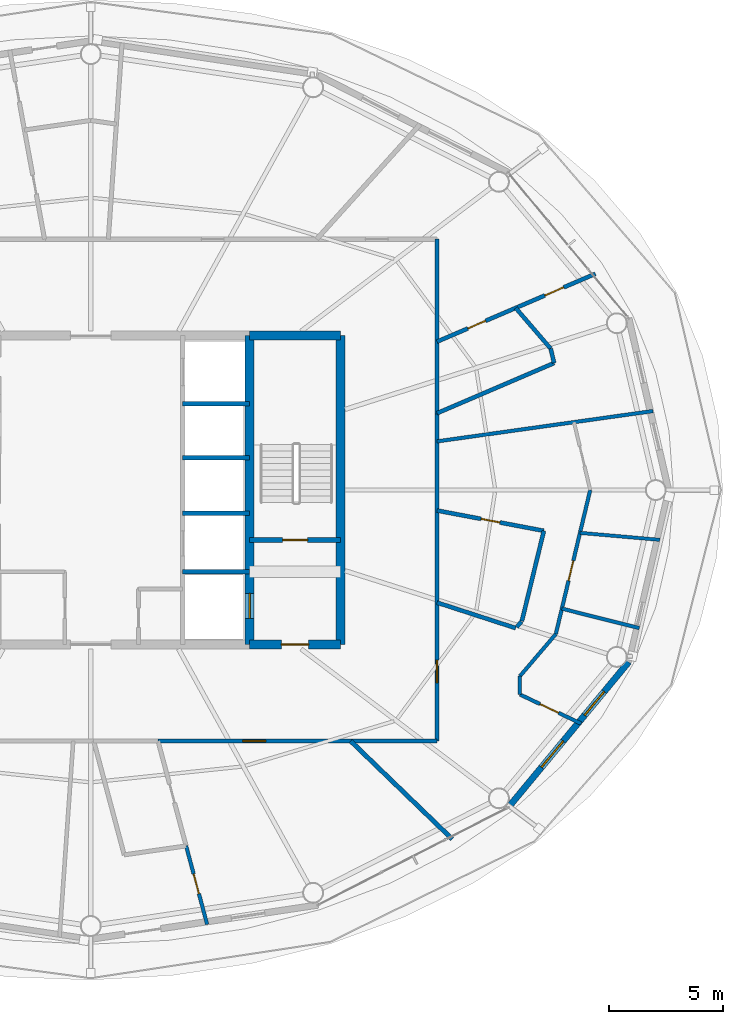
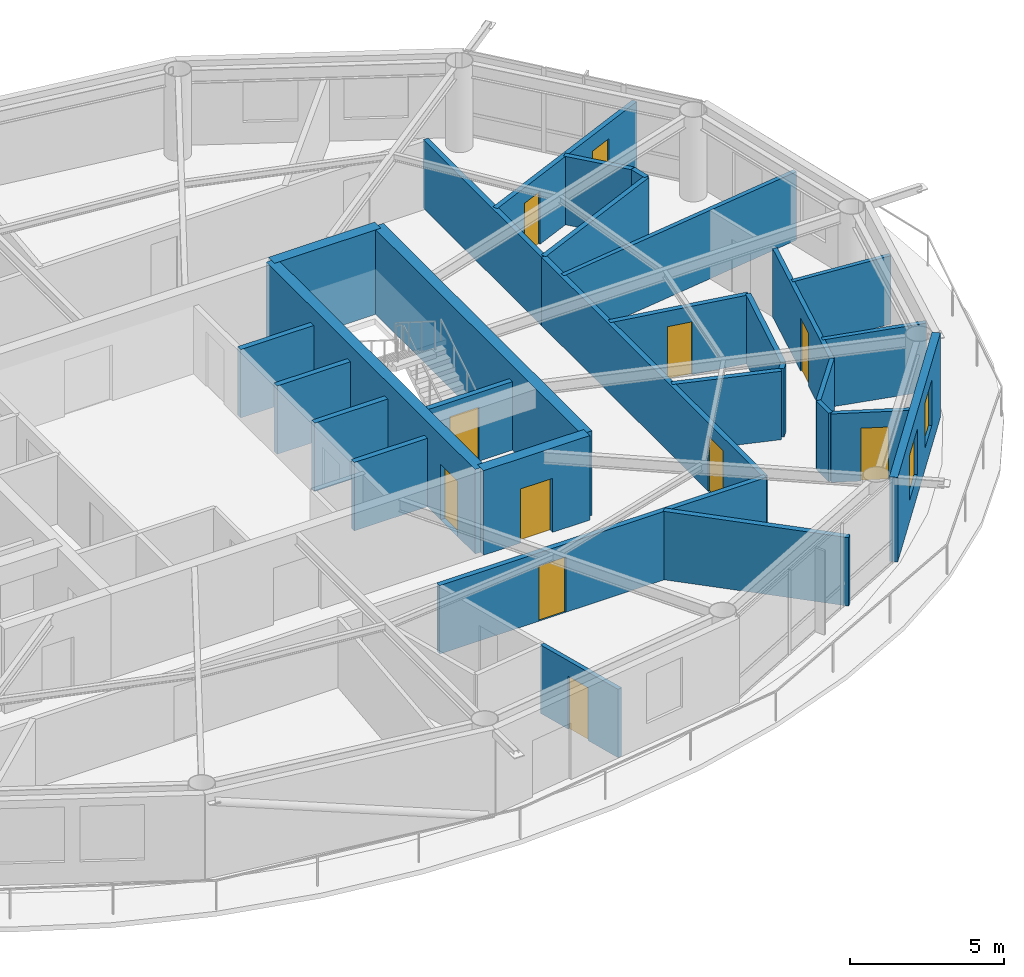
# One storey, part 17 of 22: 30 walls, 11 doors, 2 windows, 13 openings.
"""IFC4 building model written with IfcOpenShell, lengths in metres."""

from ifc_helpers import new_model, si_unit, direction, frame, frame_2d, origin, place, context, subcontext, project, spatial, rectangle, extrude, material, layer, layer_set, type_object, element, fill, save


model = new_model("IFC4")

# Units and contexts
model_context = context("Model", 3, precision=1e-05, world=origin(), true_north=direction((0.0, 1.0)))
body_context = subcontext(model_context, "Body", "Model", "MODEL_VIEW")
ifc_project = project(units=[si_unit("LENGTHUNIT", "METRE"), si_unit("AREAUNIT", "SQUARE_METRE"), si_unit("VOLUMEUNIT", "CUBIC_METRE"), si_unit("PLANEANGLEUNIT", "RADIAN"), si_unit("MASSUNIT", "GRAM", prefix="KILO")], contexts=[model_context])

# Site, building, storey
site_placement = place(None, origin())
site = spatial("IfcSite", under=ifc_project, at=site_placement, CompositionType="ELEMENT")
building_placement = place(site_placement, origin())
building = spatial("IfcBuilding", under=site, at=building_placement, Name="Sarneth Arch Tower", CompositionType="ELEMENT")
storey_placement = place(building_placement, frame((0.0, 0.0, 210.0)))
storey = spatial("IfcBuildingStorey", under=building, at=storey_placement, Name="L53", CompositionType="ELEMENT", Elevation=210.0)

# Wall, opening, door
ifc_material_1 = material(Name="Concrete C50/60", Category="concrete")
ifc_layer_1 = layer(ifc_material_1, 0.39990234375)
ifc_layer_set_1 = layer_set([ifc_layer_1], Name="Concrete C50/60")
wall_type_1 = type_object("IfcWallType", Name="WALL-CORE-400", PredefinedType="SHEAR", material=ifc_layer_set_1)
wall_1_placement = place(storey_placement, frame((55.0, 35.199951171875, 0.0), z_axis=(0.0, 0.0, 1.0), x_axis=(1.0, 0.0, 0.0)))
wall_1 = element("IfcWall", 1, at=wall_1_placement, inside=storey, type_object=wall_type_1, Name="L53 Core shear wall S-E", PredefinedType="SHEAR", context=body_context, shape_type="SweptSolid", body=[
    extrude(rectangle(XDim=4.0, YDim=0.39990234375, at=frame_2d((2.0, 0.0))), origin(), (0.0, 0.0, 1.0), 3.360107421875),
])
opening_1_placement = place(wall_1_placement, frame((1.39990234375, 0.0, 0.0)))
opening_1 = element("IfcOpeningElement", 2, at=opening_1_placement, cuts=wall_1, Name="Opening FD-02", PredefinedType="OPENING", context=body_context, shape_type="SweptSolid", body=[
    extrude(rectangle(XDim=1.199951171875, YDim=2.14990234375, at=frame_2d((0.60009765625, 1.074951171875))), frame((0.0, 0.2099609375, 0.0), z_axis=(0.0, -1.0, 0.0), x_axis=(1.0, 0.0, 0.0)), (0.0, 0.0, 1.0), 0.419921875),
])
ifc_material_2 = material(Name="Galvanised Steel S275 fire door set", Category="steel")
door_type_1 = type_object("IfcDoorType", Name="DR-FD90-1200", OperationType="SINGLE_SWING_LEFT", PredefinedType="DOOR", material=ifc_material_2)
door_1_placement = place(opening_1_placement, origin())
door_1 = element("IfcDoor", 3, at=door_1_placement, inside=storey, type_object=door_type_1, Name="L53 Firefighting lobby 2 exit door", OperationType="SINGLE_SWING_RIGHT", OverallHeight=2.14990234375, OverallWidth=1.199951171875, PredefinedType="DOOR", context=body_context, shape_type="SweptSolid", body=[
    extrude(rectangle(XDim=1.199951171875, YDim=2.14990234375, at=frame_2d((0.60009765625, 1.074951171875))), frame((0.0, 0.02490234375, 0.0), z_axis=(0.0, -1.0, 0.0), x_axis=(1.0, 0.0, 0.0)), (0.0, 0.0, 1.0), 0.050048828125),
])
fill(opening_1, door_1)

# Walls
wall_2_placement = place(storey_placement, frame((55.0, 48.800048828125, 0.0), z_axis=(0.0, 0.0, 1.0), x_axis=(1.0, 0.0, 0.0)))
element("IfcWall", 4, at=wall_2_placement, inside=storey, type_object=wall_type_1, Name="L53 Core shear wall N-E", PredefinedType="SHEAR", context=body_context, shape_type="SweptSolid", body=[
    extrude(rectangle(XDim=4.0, YDim=0.39990234375, at=frame_2d((2.0, 0.0))), origin(), (0.0, 0.0, 1.0), 3.360107421875),
])
wall_3_placement = place(storey_placement, frame((59.0, 35.199951171875, 0.0), z_axis=(0.0, 0.0, 1.0), x_axis=(0.0, 1.0, 0.0)))
element("IfcWall", 5, at=wall_3_placement, inside=storey, type_object=wall_type_1, Name="L53 Core shear wall E", PredefinedType="SHEAR", context=body_context, shape_type="SweptSolid", body=[
    extrude(rectangle(XDim=13.60009765625, YDim=0.39990234375, at=frame_2d((6.800048828125, 0.0))), origin(), (0.0, 0.0, 1.0), 3.360107421875),
])

# Wall, opening, door
wall_4_placement = place(storey_placement, frame((55.0, 35.199951171875, 0.0), z_axis=(0.0, 0.0, 1.0), x_axis=(0.0, 1.0, 0.0)))
wall_4 = element("IfcWall", 6, at=wall_4_placement, inside=storey, type_object=wall_type_1, Name="L53 Core shear wall WEB-E", PredefinedType="SHEAR", context=body_context, shape_type="SweptSolid", body=[
    extrude(rectangle(XDim=13.60009765625, YDim=0.39990234375, at=frame_2d((6.800048828125, 0.0))), origin(), (0.0, 0.0, 1.0), 3.360107421875),
])
opening_2_placement = place(wall_4_placement, frame((1.14990234375, 0.0, 0.0)))
opening_2 = element("IfcOpeningElement", 7, at=opening_2_placement, cuts=wall_4, Name="Opening LD-1", PredefinedType="OPENING", context=body_context, shape_type="SweptSolid", body=[
    extrude(rectangle(XDim=1.10009765625, YDim=2.199951171875, at=frame_2d((0.550048828125, 1.10009765625))), frame((0.0, 0.2099609375, 0.0), z_axis=(0.0, -1.0, 0.0), x_axis=(1.0, 0.0, 0.0)), (0.0, 0.0, 1.0), 0.419921875),
])
ifc_material_3 = material(Name="Brushed Stainless Steel 304 lift landing door", Category="steel")
door_type_2 = type_object("IfcDoorType", Name="DR-LIFT-SLIDE-1100", OperationType="SLIDING_TO_LEFT", PredefinedType="DOOR", material=ifc_material_3)
door_2_placement = place(opening_2_placement, origin())
door_2 = element("IfcDoor", 8, at=door_2_placement, inside=storey, type_object=door_type_2, Name="L53 Firefighting lift landing door FL-2", OperationType="SLIDING_TO_RIGHT", OverallHeight=2.199951171875, OverallWidth=1.10009765625, PredefinedType="DOOR", context=body_context, shape_type="SweptSolid", body=[
    extrude(rectangle(XDim=1.10009765625, YDim=2.199951171875, at=frame_2d((0.550048828125, 1.10009765625))), frame((0.0, 0.02490234375, 0.0), z_axis=(0.0, -1.0, 0.0), x_axis=(1.0, 0.0, 0.0)), (0.0, 0.0, 1.0), 0.050048828125),
])
fill(opening_2, door_2)

ifc_material_4 = material(Name="Double steel-stud corridor fire wall", Category="steel")
ifc_layer_2 = layer(ifc_material_4, 0.18994140625)
ifc_layer_set_2 = layer_set([ifc_layer_2], Name="Double steel-stud corridor fire wall")
wall_type_2 = type_object("IfcWallType", Name="WALL-CORR-190", PredefinedType="PARTITIONING", material=ifc_layer_set_2)
wall_5_placement = place(storey_placement, frame((50.960693359375, 30.949951171875, 0.0), z_axis=(0.0, 0.0, 1.0), x_axis=(1.0, 0.0, 0.0)))
wall_5 = element("IfcWall", 9, at=wall_5_placement, inside=storey, type_object=wall_type_2, Name="L53 Interior partition W-L53-TP-017", PredefinedType="PARTITIONING", context=body_context, shape_type="SweptSolid", body=[
    extrude(rectangle(XDim=12.289306640625, YDim=0.18994140625, at=frame_2d((6.14453125, 0.0))), origin(), (0.0, 0.0, 1.0), 2.719970703125),
])
opening_3_placement = place(wall_5_placement, frame((3.740966796875, 0.0, 0.0)))
opening_3 = element("IfcOpeningElement", 10, at=opening_3_placement, cuts=wall_5, Name="Opening FD-08", PredefinedType="OPENING", context=body_context, shape_type="SweptSolid", body=[
    extrude(rectangle(XDim=1.0, YDim=2.199951171875, at=frame_2d((0.5, 1.10009765625))), frame((0.0, 0.10498046875, 0.0), z_axis=(0.0, -1.0, 0.0), x_axis=(1.0, 0.0, 0.0)), (0.0, 0.0, 1.0), 0.2099609375),
])
ifc_material_5 = material(Name="Hardwood timber acoustic fire door", Category="wood")
door_type_3 = type_object("IfcDoorType", Name="DR-FD60-1000", OperationType="SINGLE_SWING_LEFT", PredefinedType="DOOR", material=ifc_material_5)
door_3_placement = place(opening_3_placement, origin())
door_3 = element("IfcDoor", 11, at=door_3_placement, inside=storey, type_object=door_type_3, Name="L53 Interior door DR-L53-U7-ENT", OperationType="SINGLE_SWING_LEFT", OverallHeight=2.199951171875, OverallWidth=1.0, PredefinedType="DOOR", context=body_context, shape_type="SweptSolid", body=[
    extrude(rectangle(XDim=1.0, YDim=2.199951171875, at=frame_2d((0.5, 1.10009765625))), frame((0.0, 0.02490234375, 0.0), z_axis=(0.0, -1.0, 0.0), x_axis=(1.0, 0.0, 0.0)), (0.0, 0.0, 1.0), 0.050048828125),
])
fill(opening_3, door_3)

wall_6_placement = place(storey_placement, frame((63.25, 45.419189453125, 0.0), z_axis=(0.0, 0.0, 1.0), x_axis=(0.0, -1.0, 0.0)))
wall_6 = element("IfcWall", 12, at=wall_6_placement, inside=storey, type_object=wall_type_2, Name="L53 Interior partition W-L53-TP-020", PredefinedType="PARTITIONING", context=body_context, shape_type="SweptSolid", body=[
    extrude(rectangle(XDim=14.46923828125, YDim=0.18994140625, at=frame_2d((7.234619140625, 0.0))), origin(), (0.0, 0.0, 1.0), 2.719970703125),
])
opening_4_placement = place(wall_6_placement, frame((10.90478515625, 0.0, 0.0)))
opening_4 = element("IfcOpeningElement", 13, at=opening_4_placement, cuts=wall_6, Name="Opening FD-08", PredefinedType="OPENING", context=body_context, shape_type="SweptSolid", body=[
    extrude(rectangle(XDim=1.0, YDim=2.199951171875, at=frame_2d((0.5, 1.10009765625))), frame((0.0, 0.10498046875, 0.0), z_axis=(0.0, -1.0, 0.0), x_axis=(1.0, 0.0, 0.0)), (0.0, 0.0, 1.0), 0.2099609375),
])
door_4_placement = place(opening_4_placement, origin())
door_4 = element("IfcDoor", 14, at=door_4_placement, inside=storey, type_object=door_type_3, Name="L53 Interior door DR-L53-U8-ENT", OperationType="SINGLE_SWING_RIGHT", OverallHeight=2.199951171875, OverallWidth=1.0, PredefinedType="DOOR", context=body_context, shape_type="SweptSolid", body=[
    extrude(rectangle(XDim=1.0, YDim=2.199951171875, at=frame_2d((0.5, 1.10009765625))), frame((0.0, 0.02490234375, 0.0), z_axis=(0.0, -1.0, 0.0), x_axis=(1.0, 0.0, 0.0)), (0.0, 0.0, 1.0), 0.050048828125),
])
fill(opening_4, door_4)

# Wall
wall_7_placement = place(storey_placement, frame((63.25, 45.349609375, 0.0), z_axis=(0.0, 0.0, 1.0), x_axis=(0.0, 1.0, 0.0)))
element("IfcWall", 15, at=wall_7_placement, inside=storey, type_object=wall_type_2, Name="L53 Interior partition W-L53-TP-001", PredefinedType="PARTITIONING", context=body_context, shape_type="SweptSolid", body=[
    extrude(rectangle(XDim=7.700439453125, YDim=0.18994140625, at=frame_2d((3.85009765625, 0.0))), origin(), (0.0, 0.0, 1.0), 2.719970703125),
])

# Wall, openings, windows
ifc_material_6 = material(Name="Extruded terracotta rainscreen on Concrete C40/50 backing", Category="masonry")
ifc_layer_3 = layer(ifc_material_6, 0.280029296875)
ifc_layer_set_3 = layer_set([ifc_layer_3], Name="Extruded terracotta rainscreen on Concrete C40/50 backing")
wall_type_3 = type_object("IfcWallType", Name="WALL-EXT-TERRA-280", PredefinedType="SOLIDWALL", material=ifc_layer_set_3)
wall_8_placement = place(storey_placement, frame((66.382568359375, 28.013427734375, 0.0), z_axis=(0.0, 0.0, 1.0), x_axis=(0.63761509934, 0.770355103243, 0.0)))
wall_8 = element("IfcWall", 16, at=wall_8_placement, inside=storey, type_object=wall_type_3, Name="L53 Terracotta perimeter wall 15", PredefinedType="SOLIDWALL", context=body_context, shape_type="SweptSolid", body=[
    extrude(rectangle(XDim=8.329833984375, YDim=0.280029296875, at=frame_2d((4.1650390625, 0.0))), origin(), (0.0, 0.0, 1.0), 3.360107421875),
])
opening_5_placement = place(wall_8_placement, frame((2.302978515625, 0.0, 0.85009765625)))
opening_5 = element("IfcOpeningElement", 17, at=opening_5_placement, cuts=wall_8, Name="Opening W-07", PredefinedType="OPENING", context=body_context, shape_type="SweptSolid", body=[
    extrude(rectangle(XDim=1.5, YDim=1.800048828125, at=frame_2d((0.75, 0.89990234375))), frame((0.0, 0.14990234375, 0.0), z_axis=(0.0, -1.0, 0.0), x_axis=(1.0, 0.0, 0.0)), (0.0, 0.0, 1.0), 0.300048828125),
])
opening_6_placement = place(wall_8_placement, frame((5.283203125, 0.0, 0.85009765625)))
opening_6 = element("IfcOpeningElement", 18, at=opening_6_placement, cuts=wall_8, Name="Opening W-08", PredefinedType="OPENING", context=body_context, shape_type="SweptSolid", body=[
    extrude(rectangle(XDim=1.35009765625, YDim=1.800048828125, at=frame_2d((0.675048828125, 0.89990234375))), frame((0.0, 0.14990234375, 0.0), z_axis=(0.0, -1.0, 0.0), x_axis=(1.0, 0.0, 0.0)), (0.0, 0.0, 1.0), 0.300048828125),
])
ifc_material_7 = material(Name="Thermally broken Aluminium 6063-T6 and low-e laminated IGU", Category="aluminium")
window_type_1 = type_object("IfcWindowType", Name="WIN-TWR-1350x1800", PartitioningType="SINGLE_PANEL", PredefinedType="WINDOW", material=ifc_material_7)
window_1_placement = place(opening_6_placement, origin())
window_1 = element("IfcWindow", 19, at=window_1_placement, inside=storey, type_object=window_type_1, Name="L53 Exterior window 15B", OverallHeight=1.800048828125, OverallWidth=1.35009765625, PartitioningType="SINGLE_PANEL", PredefinedType="WINDOW", context=body_context, shape_type="SweptSolid", body=[
    extrude(rectangle(XDim=1.35009765625, YDim=1.800048828125, at=frame_2d((0.675048828125, 0.89990234375))), frame((0.0, 0.030029296875, 0.0), z_axis=(0.0, -1.0, 0.0), x_axis=(1.0, 0.0, 0.0)), (0.0, 0.0, 1.0), 0.06005859375),
])
fill(opening_6, window_1)
ifc_material_8 = material(Name="Thermally broken Aluminium 6063-T6 and low-e laminated IGU", Category="aluminium")
window_type_2 = type_object("IfcWindowType", Name="WIN-TWR-1500x1800", PartitioningType="SINGLE_PANEL", PredefinedType="WINDOW", material=ifc_material_8)
window_2_placement = place(opening_5_placement, origin())
window_2 = element("IfcWindow", 20, at=window_2_placement, inside=storey, type_object=window_type_2, Name="L53 Exterior window 15A", OverallHeight=1.800048828125, OverallWidth=1.5, PartitioningType="SINGLE_PANEL", PredefinedType="WINDOW", context=body_context, shape_type="SweptSolid", body=[
    extrude(rectangle(XDim=1.5, YDim=1.800048828125, at=frame_2d((0.75, 0.89990234375))), frame((0.0, 0.030029296875, 0.0), z_axis=(0.0, -1.0, 0.0), x_axis=(1.0, 0.0, 0.0)), (0.0, 0.0, 1.0), 0.06005859375),
])
fill(opening_5, window_2)

# Walls
ifc_material_9 = material(Name="Acoustic gypsum stud partition", Category="gypsum")
ifc_layer_4 = layer(ifc_material_9, 0.14990234375)
ifc_layer_set_4 = layer_set([ifc_layer_4], Name="Acoustic gypsum stud partition")
wall_type_4 = type_object("IfcWallType", Name="WALL-PART-150", PredefinedType="PARTITIONING", material=ifc_layer_set_4)
wall_9_placement = place(storey_placement, frame((73.06103515625, 39.807373046875, 0.0), z_axis=(0.0, 0.0, 1.0), x_axis=(-0.996192140099, 0.087184975795, 0.0)))
element("IfcWall", 21, at=wall_9_placement, inside=storey, type_object=wall_type_4, Name="L53 Interior partition W-L53-TP-080", PredefinedType="PARTITIONING", context=body_context, shape_type="SweptSolid", body=[
    extrude(rectangle(XDim=3.5283203125, YDim=0.14990234375, at=frame_2d((1.76416015625, 0.0))), origin(), (0.0, 0.0, 1.0), 2.719970703125),
])
ifc_material_10 = material(Name="Kitchen wet service chase wall", Category="gypsum")
ifc_layer_5 = layer(ifc_material_10, 0.159912109375)
ifc_layer_set_5 = layer_set([ifc_layer_5], Name="Kitchen wet service chase wall")
wall_type_5 = type_object("IfcWallType", Name="WALL-PLUMB-160", PredefinedType="PLUMBINGWALL", material=ifc_layer_set_5)
wall_10_placement = place(storey_placement, frame((63.25, 44.143310546875, 0.0), z_axis=(0.0, 0.0, 1.0), x_axis=(0.990269661234, 0.139161769316, 0.0)))
element("IfcWall", 22, at=wall_10_placement, inside=storey, type_object=wall_type_5, Name="L53 Interior partition W-L53-TP-030", PredefinedType="PLUMBINGWALL", context=body_context, shape_type="SweptSolid", body=[
    extrude(rectangle(XDim=9.60693359375, YDim=0.159912109375, at=frame_2d((4.803466796875, 0.0))), origin(), (0.0, 0.0, 1.0), 2.719970703125),
])

# Wall, opening, door
wall_11_placement = place(storey_placement, frame((52.19921875, 26.327880859375, 0.0), z_axis=(0.0, 0.0, 1.0), x_axis=(0.258821309613, -0.965925219512, 0.0)))
wall_11 = element("IfcWall", 23, at=wall_11_placement, inside=storey, type_object=wall_type_5, Name="L53 Interior partition W-L53-TP-064", PredefinedType="PLUMBINGWALL", context=body_context, shape_type="SweptSolid", body=[
    extrude(rectangle(XDim=3.579833984375, YDim=0.159912109375, at=frame_2d((1.7900390625, 0.0))), origin(), (0.0, 0.0, 1.0), 2.719970703125),
])
opening_7_placement = place(wall_11_placement, frame((1.27978515625, 0.0, 0.0)))
opening_7 = element("IfcOpeningElement", 24, at=opening_7_placement, cuts=wall_11, Name="Opening ID-01", PredefinedType="OPENING", context=body_context, shape_type="SweptSolid", body=[
    extrude(rectangle(XDim=0.89990234375, YDim=2.10009765625, at=frame_2d((0.449951171875, 1.050048828125))), frame((0.0, 0.08984375, 0.0), z_axis=(0.0, -1.0, 0.0), x_axis=(1.0, 0.0, 0.0)), (0.0, 0.0, 1.0), 0.179931640625),
])
ifc_material_11 = material(Name="Engineered hardwood flush door", Category="wood")
door_type_4 = type_object("IfcDoorType", Name="DR-INT-900", OperationType="SINGLE_SWING_LEFT", PredefinedType="DOOR", material=ifc_material_11)
door_5_placement = place(opening_7_placement, origin())
door_5 = element("IfcDoor", 25, at=door_5_placement, inside=storey, type_object=door_type_4, Name="L53 Interior door DR-L53-U7-KIT", OperationType="SINGLE_SWING_RIGHT", OverallHeight=2.10009765625, OverallWidth=0.89990234375, PredefinedType="DOOR", context=body_context, shape_type="SweptSolid", body=[
    extrude(rectangle(XDim=0.89990234375, YDim=2.10009765625, at=frame_2d((0.449951171875, 1.050048828125))), frame((0.0, 0.02490234375, 0.0), z_axis=(0.0, -1.0, 0.0), x_axis=(1.0, 0.0, 0.0)), (0.0, 0.0, 1.0), 0.050048828125),
])
fill(opening_7, door_5)

# Wall
wall_12_placement = place(storey_placement, frame((68.7490234375, 36.777587890625, 0.0), z_axis=(0.0, 0.0, 1.0), x_axis=(0.96975767026, -0.244069787092, 0.0)))
element("IfcWall", 26, at=wall_12_placement, inside=storey, type_object=wall_type_5, Name="L53 Interior partition W-L53-TP-079", PredefinedType="PLUMBINGWALL", context=body_context, shape_type="SweptSolid", body=[
    extrude(rectangle(XDim=3.51904296875, YDim=0.159912109375, at=frame_2d((1.759521484375, 0.0))), origin(), (0.0, 0.0, 1.0), 2.719970703125),
])

# Wall, opening, door
wall_13_placement = place(storey_placement, frame((69.996337890625, 42.0, 0.0), z_axis=(0.0, 0.0, 1.0), x_axis=(-0.232298462197, -0.972644551962, 0.0)))
wall_13 = element("IfcWall", 27, at=wall_13_placement, inside=storey, type_object=wall_type_5, Name="L53 Interior partition W-L53-TP-076", PredefinedType="PLUMBINGWALL", context=body_context, shape_type="SweptSolid", body=[
    extrude(rectangle(XDim=6.5234375, YDim=0.159912109375, at=frame_2d((3.26171875, 0.0))), origin(), (0.0, 0.0, 1.0), 2.719970703125),
])
opening_8_placement = place(wall_13_placement, frame((3.20361328125, 0.0, 0.0)))
opening_8 = element("IfcOpeningElement", 28, at=opening_8_placement, cuts=wall_13, Name="Opening ID-01", PredefinedType="OPENING", context=body_context, shape_type="SweptSolid", body=[
    extrude(rectangle(XDim=0.89990234375, YDim=2.10009765625, at=frame_2d((0.449951171875, 1.050048828125))), frame((0.0, 0.08984375, 0.0), z_axis=(0.0, -1.0, 0.0), x_axis=(1.0, 0.0, 0.0)), (0.0, 0.0, 1.0), 0.179931640625),
])
door_6_placement = place(opening_8_placement, origin())
door_6 = element("IfcDoor", 29, at=door_6_placement, inside=storey, type_object=door_type_4, Name="L53 Interior door DR-L53-U8-BED1", OperationType="SINGLE_SWING_RIGHT", OverallHeight=2.10009765625, OverallWidth=0.89990234375, PredefinedType="DOOR", context=body_context, shape_type="SweptSolid", body=[
    extrude(rectangle(XDim=0.89990234375, YDim=2.10009765625, at=frame_2d((0.449951171875, 1.050048828125))), frame((0.0, 0.02490234375, 0.0), z_axis=(0.0, -1.0, 0.0), x_axis=(1.0, 0.0, 0.0)), (0.0, 0.0, 1.0), 0.050048828125),
])
fill(opening_8, door_6)

wall_14_placement = place(storey_placement, frame((69.59619140625, 31.7138671875, 0.0), z_axis=(0.0, 0.0, 1.0), x_axis=(-0.902830295341, 0.42999704396, 0.0)))
wall_14 = element("IfcWall", 30, at=wall_14_placement, inside=storey, type_object=wall_type_5, Name="L53 Interior partition W-L53-TP-068", PredefinedType="PLUMBINGWALL", context=body_context, shape_type="SweptSolid", body=[
    extrude(rectangle(XDim=2.986572265625, YDim=0.159912109375, at=frame_2d((1.4931640625, 0.0))), origin(), (0.0, 0.0, 1.0), 2.719970703125),
])
opening_9_placement = place(wall_14_placement, frame((1.103271484375, 0.0, 0.0)))
opening_9 = element("IfcOpeningElement", 31, at=opening_9_placement, cuts=wall_14, Name="Opening ID-01", PredefinedType="OPENING", context=body_context, shape_type="SweptSolid", body=[
    extrude(rectangle(XDim=0.89990234375, YDim=2.10009765625, at=frame_2d((0.449951171875, 1.050048828125))), frame((0.0, 0.08984375, 0.0), z_axis=(0.0, -1.0, 0.0), x_axis=(1.0, 0.0, 0.0)), (0.0, 0.0, 1.0), 0.179931640625),
])
door_7_placement = place(opening_9_placement, origin())
door_7 = element("IfcDoor", 32, at=door_7_placement, inside=storey, type_object=door_type_4, Name="L53 Interior door DR-L53-U8-KIT", OperationType="SINGLE_SWING_RIGHT", OverallHeight=2.10009765625, OverallWidth=0.89990234375, PredefinedType="DOOR", context=body_context, shape_type="SweptSolid", body=[
    extrude(rectangle(XDim=0.89990234375, YDim=2.10009765625, at=frame_2d((0.449951171875, 1.050048828125))), frame((0.0, 0.02490234375, 0.0), z_axis=(0.0, -1.0, 0.0), x_axis=(1.0, 0.0, 0.0)), (0.0, 0.0, 1.0), 0.050048828125),
])
fill(opening_9, door_7)

# Walls
wall_15_placement = place(storey_placement, frame((66.89990234375, 33.802978515625, 0.0), z_axis=(0.0, 0.0, 1.0), x_axis=(0.649270866973, 0.760557257082, 0.0)))
element("IfcWall", 33, at=wall_15_placement, inside=storey, type_object=wall_type_5, Name="L53 Interior partition W-L53-TP-070", PredefinedType="PLUMBINGWALL", context=body_context, shape_type="SweptSolid", body=[
    extrude(rectangle(XDim=2.43505859375, YDim=0.159912109375, at=frame_2d((1.217529296875, 0.0))), origin(), (0.0, 0.0, 1.0), 2.719970703125),
])
wall_16_placement = place(storey_placement, frame((66.89990234375, 32.998046875, 0.0), z_axis=(0.0, 0.0, 1.0), x_axis=(0.0, 1.0, 0.0)))
element("IfcWall", 34, at=wall_16_placement, inside=storey, type_object=wall_type_5, Name="L53 Interior partition W-L53-TP-069", PredefinedType="PLUMBINGWALL", context=body_context, shape_type="SweptSolid", body=[
    extrude(rectangle(XDim=0.804931640625, YDim=0.159912109375, at=frame_2d((0.40234375, 0.0))), origin(), (0.0, 0.0, 1.0), 2.719970703125),
])
ifc_material_12 = material(Name="Moisture-resistant plumbing chase wall", Category="gypsum")
ifc_layer_6 = layer(ifc_material_12, 0.179931640625)
ifc_layer_set_6 = layer_set([ifc_layer_6], Name="Moisture-resistant plumbing chase wall")
wall_type_6 = type_object("IfcWallType", Name="WALL-PLUMB-180", PredefinedType="PLUMBINGWALL", material=ifc_layer_set_6)
wall_17_placement = place(storey_placement, frame((68.407470703125, 47.5947265625, 0.0), z_axis=(0.0, 0.0, 1.0), x_axis=(-0.919138278408, -0.393935051963, 0.0)))
element("IfcWall", 35, at=wall_17_placement, inside=storey, type_object=wall_type_6, Name="L53 Interior partition W-L53-TP-029", PredefinedType="PLUMBINGWALL", context=body_context, shape_type="SweptSolid", body=[
    extrude(rectangle(XDim=5.611083984375, YDim=0.179931640625, at=frame_2d((2.8056640625, 0.0))), origin(), (0.0, 0.0, 1.0), 2.719970703125),
])

# Wall, opening, door
wall_18_placement = place(storey_placement, frame((67.955322265625, 40.20458984375, 0.0), z_axis=(0.0, 0.0, 1.0), x_axis=(-0.982404536053, 0.186765434551, 0.0)))
wall_18 = element("IfcWall", 36, at=wall_18_placement, inside=storey, type_object=wall_type_6, Name="L53 Interior partition W-L53-TP-075", PredefinedType="PLUMBINGWALL", context=body_context, shape_type="SweptSolid", body=[
    extrude(rectangle(XDim=4.78955078125, YDim=0.179931640625, at=frame_2d((2.394775390625, 0.0))), origin(), (0.0, 0.0, 1.0), 2.719970703125),
])
opening_10_placement = place(wall_18_placement, frame((1.9697265625, 0.0, 0.0)))
opening_10 = element("IfcOpeningElement", 37, at=opening_10_placement, cuts=wall_18, Name="Opening ID-02", PredefinedType="OPENING", context=body_context, shape_type="SweptSolid", body=[
    extrude(rectangle(XDim=0.85009765625, YDim=2.10009765625, at=frame_2d((0.425048828125, 1.050048828125))), frame((0.0, 0.099853515625, 0.0), z_axis=(0.0, -1.0, 0.0), x_axis=(1.0, 0.0, 0.0)), (0.0, 0.0, 1.0), 0.199951171875),
])
ifc_material_13 = material(Name="Moisture-resistant bathroom timber door", Category="wood")
door_type_5 = type_object("IfcDoorType", Name="DR-INT-850", OperationType="SINGLE_SWING_RIGHT", PredefinedType="DOOR", material=ifc_material_13)
door_8_placement = place(opening_10_placement, origin())
door_8 = element("IfcDoor", 38, at=door_8_placement, inside=storey, type_object=door_type_5, Name="L53 Interior door DR-L53-U8-BATH", OperationType="SINGLE_SWING_RIGHT", OverallHeight=2.10009765625, OverallWidth=0.85009765625, PredefinedType="DOOR", context=body_context, shape_type="SweptSolid", body=[
    extrude(rectangle(XDim=0.85009765625, YDim=2.10009765625, at=frame_2d((0.425048828125, 1.050048828125))), frame((0.0, 0.02490234375, 0.0), z_axis=(0.0, -1.0, 0.0), x_axis=(1.0, 0.0, 0.0)), (0.0, 0.0, 1.0), 0.050048828125),
])
fill(opening_10, door_8)

# Wall
wall_19_placement = place(storey_placement, frame((66.987548828125, 36.22900390625, 0.0), z_axis=(0.0, 0.0, 1.0), x_axis=(0.236522101202, 0.971626108975, 0.0)))
element("IfcWall", 39, at=wall_19_placement, inside=storey, type_object=wall_type_6, Name="L53 Interior partition W-L53-TP-074", PredefinedType="PLUMBINGWALL", context=body_context, shape_type="SweptSolid", body=[
    extrude(rectangle(XDim=4.091796875, YDim=0.179931640625, at=frame_2d((2.0458984375, 0.0))), origin(), (0.0, 0.0, 1.0), 2.719970703125),
])

# Wall, openings, doors
wall_20_placement = place(storey_placement, frame((63.25, 48.5361328125, 0.0), z_axis=(0.0, 0.0, 1.0), x_axis=(0.919133380172, 0.393946480443, 0.0)))
wall_20 = element("IfcWall", 40, at=wall_20_placement, inside=storey, type_object=wall_type_6, Name="L53 Interior partition W-L53-TP-025", PredefinedType="PLUMBINGWALL", context=body_context, shape_type="SweptSolid", body=[
    extrude(rectangle(XDim=7.587890625, YDim=0.179931640625, at=frame_2d((3.7939453125, 0.0))), origin(), (0.0, 0.0, 1.0), 2.719970703125),
])
opening_11_placement = place(wall_20_placement, frame((5.168701171875, 0.0, 0.0)))
opening_11 = element("IfcOpeningElement", 41, at=opening_11_placement, cuts=wall_20, Name="Opening ID-01", PredefinedType="OPENING", context=body_context, shape_type="SweptSolid", body=[
    extrude(rectangle(XDim=0.89990234375, YDim=2.10009765625, at=frame_2d((0.449951171875, 1.050048828125))), frame((0.0, 0.099853515625, 0.0), z_axis=(0.0, -1.0, 0.0), x_axis=(1.0, 0.0, 0.0)), (0.0, 0.0, 1.0), 0.199951171875),
])
opening_12_placement = place(wall_20_placement, frame((1.476806640625, 0.0, 0.0)))
opening_12 = element("IfcOpeningElement", 42, at=opening_12_placement, cuts=wall_20, Name="Opening ID-02", PredefinedType="OPENING", context=body_context, shape_type="SweptSolid", body=[
    extrude(rectangle(XDim=0.85009765625, YDim=2.10009765625, at=frame_2d((0.425048828125, 1.050048828125))), frame((0.0, 0.099853515625, 0.0), z_axis=(0.0, -1.0, 0.0), x_axis=(1.0, 0.0, 0.0)), (0.0, 0.0, 1.0), 0.199951171875),
])
door_9_placement = place(opening_12_placement, origin())
door_9 = element("IfcDoor", 43, at=door_9_placement, inside=storey, type_object=door_type_5, Name="L53 Interior door DR-L53-U1-BATH", OperationType="SINGLE_SWING_RIGHT", OverallHeight=2.10009765625, OverallWidth=0.85009765625, PredefinedType="DOOR", context=body_context, shape_type="SweptSolid", body=[
    extrude(rectangle(XDim=0.85009765625, YDim=2.10009765625, at=frame_2d((0.425048828125, 1.050048828125))), frame((0.0, 0.02490234375, 0.0), z_axis=(0.0, -1.0, 0.0), x_axis=(1.0, 0.0, 0.0)), (0.0, 0.0, 1.0), 0.050048828125),
])
fill(opening_12, door_9)
door_10_placement = place(opening_11_placement, origin())
door_10 = element("IfcDoor", 44, at=door_10_placement, inside=storey, type_object=door_type_4, Name="L53 Interior door DR-L53-U1-KIT", OperationType="SINGLE_SWING_LEFT", OverallHeight=2.10009765625, OverallWidth=0.89990234375, PredefinedType="DOOR", context=body_context, shape_type="SweptSolid", body=[
    extrude(rectangle(XDim=0.89990234375, YDim=2.10009765625, at=frame_2d((0.449951171875, 1.050048828125))), frame((0.0, 0.02490234375, 0.0), z_axis=(0.0, -1.0, 0.0), x_axis=(1.0, 0.0, 0.0)), (0.0, 0.0, 1.0), 0.050048828125),
])
fill(opening_11, door_10)

# Walls
wall_21_placement = place(storey_placement, frame((63.25, 37.044921875, 0.0), z_axis=(0.0, 0.0, 1.0), x_axis=(0.951066543841, -0.308986131058, 0.0)))
element("IfcWall", 45, at=wall_21_placement, inside=storey, type_object=wall_type_6, Name="L53 Interior partition W-L53-TP-072", PredefinedType="PLUMBINGWALL", context=body_context, shape_type="SweptSolid", body=[
    extrude(rectangle(XDim=3.645751953125, YDim=0.179931640625, at=frame_2d((1.82275390625, 0.0))), origin(), (0.0, 0.0, 1.0), 2.719970703125),
])
wall_22_placement = place(storey_placement, frame((66.71484375, 50.021240234375, 0.0), z_axis=(0.0, 0.0, 1.0), x_axis=(0.651871704999, -0.758329268999, 0.0)))
element("IfcWall", 46, at=wall_22_placement, inside=storey, type_object=wall_type_6, Name="L53 Interior partition W-L53-TP-027", PredefinedType="PLUMBINGWALL", context=body_context, shape_type="SweptSolid", body=[
    extrude(rectangle(XDim=2.362060546875, YDim=0.179931640625, at=frame_2d((1.18115234375, 0.0))), origin(), (0.0, 0.0, 1.0), 2.719970703125),
])
wall_23_placement = place(storey_placement, frame((68.254638671875, 48.22998046875, 0.0), z_axis=(0.0, 0.0, 1.0), x_axis=(0.233909944351, -0.972258267095, 0.0)))
element("IfcWall", 47, at=wall_23_placement, inside=storey, type_object=wall_type_6, Name="L53 Interior partition W-L53-TP-028", PredefinedType="PLUMBINGWALL", context=body_context, shape_type="SweptSolid", body=[
    extrude(rectangle(XDim=0.6533203125, YDim=0.179931640625, at=frame_2d((0.32666015625, 0.0))), origin(), (0.0, 0.0, 1.0), 2.719970703125),
])
wall_24_placement = place(storey_placement, frame((66.761962890625, 35.9697265625, 0.0), z_axis=(0.0, 0.0, 1.0), x_axis=(0.656312676344, 0.754489013088, 0.0)))
element("IfcWall", 48, at=wall_24_placement, inside=storey, type_object=wall_type_6, Name="L53 Interior partition W-L53-TP-073", PredefinedType="PLUMBINGWALL", context=body_context, shape_type="SweptSolid", body=[
    extrude(rectangle(XDim=0.31591796875, YDim=0.179931640625, at=frame_2d((0.157958984375, 0.0))), origin(), (0.0, 0.0, 1.0), 2.719970703125),
])

# Wall, opening, door
ifc_material_14 = material(Name="Aerated concrete blockwork C25/30", Category="masonry")
ifc_layer_7 = layer(ifc_material_14, 0.199951171875)
ifc_layer_set_7 = layer_set([ifc_layer_7], Name="Aerated concrete blockwork C25/30")
wall_type_7 = type_object("IfcWallType", Name="WALL-SHAFT-200", PredefinedType="SOLIDWALL", material=ifc_layer_set_7)
wall_25_placement = place(storey_placement, frame((55.0, 39.800048828125, 0.0), z_axis=(0.0, 0.0, 1.0), x_axis=(1.0, 0.0, 0.0)))
wall_25 = element("IfcWall", 49, at=wall_25_placement, inside=storey, type_object=wall_type_7, Name="L53 Interior partition W-L53-ST2-S", PredefinedType="SOLIDWALL", context=body_context, shape_type="SweptSolid", body=[
    extrude(rectangle(XDim=4.0, YDim=0.199951171875, at=frame_2d((2.0, 0.0))), origin(), (0.0, 0.0, 1.0), 2.719970703125),
])
opening_13_placement = place(wall_25_placement, frame((1.449951171875, 0.0, 0.0)))
opening_13 = element("IfcOpeningElement", 50, at=opening_13_placement, cuts=wall_25, Name="Opening FD-03", PredefinedType="OPENING", context=body_context, shape_type="SweptSolid", body=[
    extrude(rectangle(XDim=1.10009765625, YDim=2.14990234375, at=frame_2d((0.550048828125, 1.074951171875))), frame((0.0, 0.10986328125, 0.0), z_axis=(0.0, -1.0, 0.0), x_axis=(1.0, 0.0, 0.0)), (0.0, 0.0, 1.0), 0.219970703125),
])
ifc_material_15 = material(Name="Galvanised Steel S275 fire door set", Category="steel")
door_type_6 = type_object("IfcDoorType", Name="DR-FD90-1100", OperationType="SINGLE_SWING_LEFT", PredefinedType="DOOR", material=ifc_material_15)
door_11_placement = place(opening_13_placement, origin())
door_11 = element("IfcDoor", 51, at=door_11_placement, inside=storey, type_object=door_type_6, Name="L53 Interior door DR-L53-ST2", OperationType="SINGLE_SWING_RIGHT", OverallHeight=2.14990234375, OverallWidth=1.10009765625, PredefinedType="DOOR", context=body_context, shape_type="SweptSolid", body=[
    extrude(rectangle(XDim=1.10009765625, YDim=2.14990234375, at=frame_2d((0.550048828125, 1.074951171875))), frame((0.0, 0.02490234375, 0.0), z_axis=(0.0, -1.0, 0.0), x_axis=(1.0, 0.0, 0.0)), (0.0, 0.0, 1.0), 0.050048828125),
])
fill(opening_13, door_11)

# Walls
for number, where, z_axis, x_axis, name in (
    (52, (52.050048828125, 38.39990234375, 0.0), (0.0, 0.0, 1.0), (1.0, 0.0, 0.0), "L53 Interior partition W-L53-FL2-N"),
    (53, (52.050048828125, 40.97998046875, 0.0), (0.0, 0.0, 1.0), (1.0, 0.0, 0.0), "L53 Interior partition W-L53-EB-DIV-4098"),
    (54, (52.050048828125, 43.419921875, 0.0), (0.0, 0.0, 1.0), (1.0, 0.0, 0.0), "L53 Interior partition W-L53-EB-DIV-4342"),
    (55, (52.050048828125, 45.800048828125, 0.0), (0.0, 0.0, 1.0), (1.0, 0.0, 0.0), "L53 Interior partition W-L53-EB-DIV-4580"),
):
    element("IfcWall", number, at=place(storey_placement, frame(where, z_axis=z_axis, x_axis=x_axis)), inside=storey, type_object=wall_type_7, Name=name, PredefinedType="SOLIDWALL", context=body_context, shape_type="SweptSolid", body=[
        extrude(rectangle(XDim=2.949951171875, YDim=0.199951171875, at=frame_2d((1.47509765625, 0.0))), origin(), (0.0, 0.0, 1.0), 2.719970703125),
    ])
ifc_material_16 = material(Name="Double steel-stud acoustic drywall", Category="steel")
ifc_layer_8 = layer(ifc_material_16, 0.199951171875)
ifc_layer_set_8 = layer_set([ifc_layer_8], Name="Double steel-stud acoustic drywall")
wall_type_8 = type_object("IfcWallType", Name="WALL-UNIT-200", PredefinedType="PARTITIONING", material=ifc_layer_set_8)
wall_26_placement = place(storey_placement, frame((63.92138671875, 26.625, 0.0), z_axis=(0.0, 0.0, 1.0), x_axis=(-0.719350784266, 0.69464699609, 0.0)))
element("IfcWall", 56, at=wall_26_placement, inside=storey, type_object=wall_type_8, Name="L53 Interior partition W-L53-TP-065", PredefinedType="PARTITIONING", context=body_context, shape_type="SweptSolid", body=[
    extrude(rectangle(XDim=6.22607421875, YDim=0.199951171875, at=frame_2d((3.113037109375, 0.0))), origin(), (0.0, 0.0, 1.0), 2.719970703125),
])

save(model, "model.ifc")
